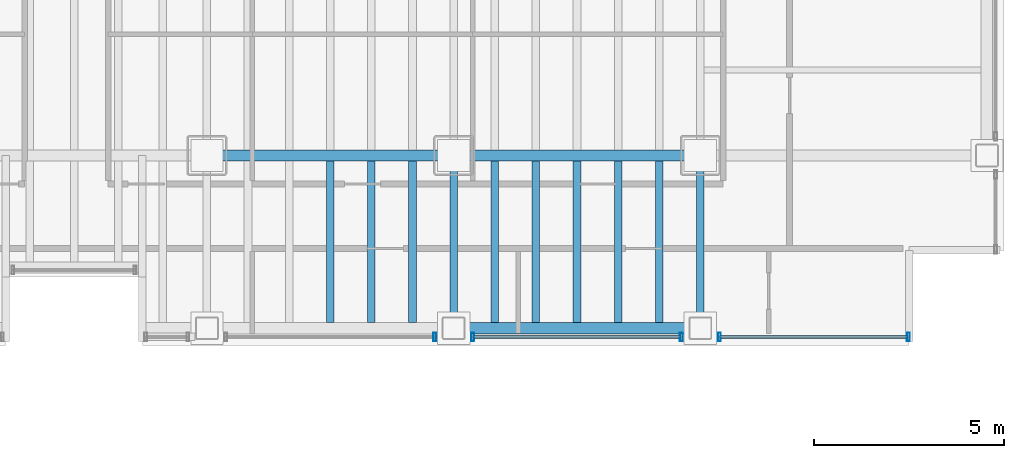
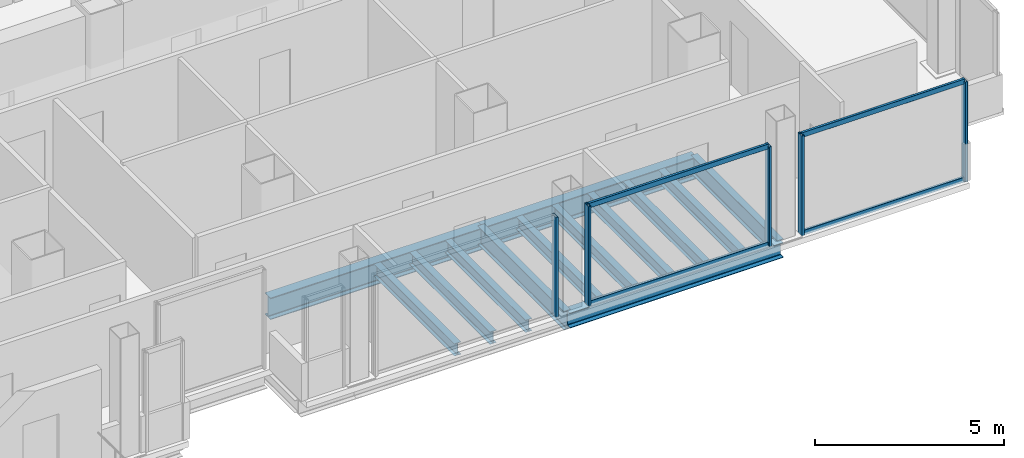
# One storey, part 9 of 21: 13 beams, 9 members, 3 elements without a shape of their own.
"""IFC4 building model written with IfcOpenShell, lengths in metres."""

from ifc_helpers import new_model, si_unit, direction, frame, origin, origin_2d, place, context, subcontext, project, spatial, hollow_rectangle, i_section, extrude, material, material_profile, profile_set, type_object, element, aggregate, save


model = new_model("IFC4")

# Units and contexts
model_context = context("Model", 3, precision=1e-05, world=origin(), true_north=direction((0.0, 1.0)))
body_context = subcontext(model_context, "Body", "Model", "MODEL_VIEW")
ifc_project = project(units=[si_unit("LENGTHUNIT", "METRE"), si_unit("AREAUNIT", "SQUARE_METRE"), si_unit("VOLUMEUNIT", "CUBIC_METRE"), si_unit("PLANEANGLEUNIT", "RADIAN"), si_unit("MASSUNIT", "GRAM", prefix="KILO")], contexts=[model_context])

# Site, building, storey
site_placement = place(None, origin())
site = spatial("IfcSite", under=ifc_project, at=site_placement, CompositionType="ELEMENT")
building_placement = place(site_placement, origin())
building = spatial("IfcBuilding", under=site, at=building_placement, Name="Noeulbin Bourse Tower", CompositionType="ELEMENT")
storey_placement = place(building_placement, frame((0.0, 0.0, 46.0)))
storey = spatial("IfcBuildingStorey", under=building, at=storey_placement, Name="L11", CompositionType="ELEMENT", Elevation=46.0)

# Beams
ifc_material_1 = material(Name="Steel S355", Category="steel")
ifc_material_profile_1 = material_profile(ifc_material_1, i_section(OverallWidth=0.199951171875, OverallDepth=0.60009765625, WebThickness=0.010986328125, FlangeThickness=0.01708984375, FilletRadius=0.02197265625, at=origin_2d()), Name="H-600x200x11x17", Category="LoadBearing")
ifc_profile_set_1 = profile_set([ifc_material_profile_1], Name="Steel S355")
beam_type_1 = type_object("IfcBeamType", Name="BM-GRD-600", PredefinedType="USERDEFINED", material=ifc_profile_set_1)
for number, where, z_axis, x_axis, name in (
    (1, (37.5, 15.449951171875, -0.47998046875), (0.0, 1.0, 0.0), (-1.0, 0.0, 0.0), "Tower Primary Girder NS L11-4.1"),
    (2, (44.0, 15.449951171875, -0.47998046875), (0.0, 1.0, 0.0), (-1.0, 0.0, 0.0), "Tower Primary Girder NS L11-5.1"),
):
    element("IfcBeam", number, at=place(storey_placement, frame(where, z_axis=z_axis, x_axis=x_axis)), inside=storey, type_object=beam_type_1, Name=name, ObjectType="GIRDER", PredefinedType="USERDEFINED", context=body_context, shape_type="SweptSolid", body=[
        extrude(i_section(OverallWidth=0.199951171875, OverallDepth=0.60009765625, WebThickness=0.010986328125, FlangeThickness=0.01708984375, FilletRadius=0.02197265625, at=origin_2d()), origin(), (0.0, 0.0, 1.0), 4.550048828125),
    ])
ifc_material_profile_2 = material_profile(ifc_material_1, i_section(OverallWidth=0.300048828125, OverallDepth=0.699951171875, WebThickness=0.012939453125, FlangeThickness=0.02392578125, FilletRadius=0.02392578125, at=origin_2d()), Name="H-700x300x13x24", Category="LoadBearing")
ifc_profile_set_2 = profile_set([ifc_material_profile_2], Name="Steel S355")
beam_type_2 = type_object("IfcBeamType", Name="BM-GRD-700", PredefinedType="USERDEFINED", material=ifc_profile_set_2)
for number, where, z_axis, x_axis, name in (
    (3, (31.0, 20.0, -0.530029296875), (1.0, 0.0, 0.0), (0.0, 1.0, 0.0), "Tower Primary Girder EW L11-1.4"),
    (4, (37.5, 20.0, -0.530029296875), (1.0, 0.0, 0.0), (0.0, 1.0, 0.0), "Tower Primary Girder EW L11-1.5"),
):
    element("IfcBeam", number, at=place(storey_placement, frame(where, z_axis=z_axis, x_axis=x_axis)), inside=storey, type_object=beam_type_2, Name=name, ObjectType="GIRDER", PredefinedType="USERDEFINED", context=body_context, shape_type="SweptSolid", body=[
        extrude(i_section(OverallWidth=0.300048828125, OverallDepth=0.699951171875, WebThickness=0.012939453125, FlangeThickness=0.02392578125, FilletRadius=0.02392578125, at=origin_2d()), origin(), (0.0, 0.0, 1.0), 6.5),
    ])
ifc_material_profile_3 = material_profile(ifc_material_1, i_section(OverallWidth=0.199951171875, OverallDepth=0.39990234375, WebThickness=0.008056640625, FlangeThickness=0.012939453125, FilletRadius=0.01611328125, at=origin_2d()), Name="H-400x200x8x13", Category="LoadBearing")
ifc_profile_set_3 = profile_set([ifc_material_profile_3], Name="Steel S355")
beam_type_3 = type_object("IfcBeamType", Name="BM-SEC-400", PredefinedType="BEAM", material=ifc_profile_set_3)
for number, where, z_axis, x_axis, name in (
    (5, (34.25, 15.60009765625, -0.3798828125), (0.0, 1.0, 0.0), (-1.0, 0.0, 0.0), "Tower Composite Joist L11-46"),
    (6, (35.333251953125, 15.60009765625, -0.3798828125), (0.0, 1.0, 0.0), (-1.0, 0.0, 0.0), "Tower Composite Joist L11-49"),
    (7, (36.416748046875, 15.60009765625, -0.3798828125), (0.0, 1.0, 0.0), (-1.0, 0.0, 0.0), "Tower Composite Joist L11-52"),
    (8, (38.583251953125, 15.60009765625, -0.3798828125), (0.0, 1.0, 0.0), (-1.0, 0.0, 0.0), "Tower Composite Joist L11-55"),
    (9, (39.666748046875, 15.60009765625, -0.3798828125), (0.0, 1.0, 0.0), (-1.0, 0.0, 0.0), "Tower Composite Joist L11-58"),
    (10, (40.75, 15.60009765625, -0.3798828125), (0.0, 1.0, 0.0), (-1.0, 0.0, 0.0), "Tower Composite Joist L11-61"),
    (11, (41.833251953125, 15.60009765625, -0.3798828125), (0.0, 1.0, 0.0), (-1.0, 0.0, 0.0), "Tower Composite Joist L11-64"),
    (12, (42.916748046875, 15.60009765625, -0.3798828125), (0.0, 1.0, 0.0), (-1.0, 0.0, 0.0), "Tower Composite Joist L11-67"),
):
    element("IfcBeam", number, at=place(storey_placement, frame(where, z_axis=z_axis, x_axis=x_axis)), inside=storey, type_object=beam_type_3, Name=name, PredefinedType="BEAM", context=body_context, shape_type="SweptSolid", body=[
        extrude(i_section(OverallWidth=0.199951171875, OverallDepth=0.39990234375, WebThickness=0.008056640625, FlangeThickness=0.012939453125, FilletRadius=0.01611328125, at=origin_2d()), origin(), (0.0, 0.0, 1.0), 4.25),
    ])
ifc_material_profile_4 = material_profile(ifc_material_1, i_section(OverallWidth=0.300048828125, OverallDepth=0.488037109375, WebThickness=0.010986328125, FlangeThickness=0.01806640625, FilletRadius=0.02197265625, at=origin_2d()), Name="H-488x300x11x18", Category="LoadBearing")
ifc_profile_set_4 = profile_set([ifc_material_profile_4], Name="Steel S355")
beam_type_4 = type_object("IfcBeamType", Name="BM-SPN-488", PredefinedType="SPANDREL", material=ifc_profile_set_4)
beam_placement = place(storey_placement, frame((37.5, 15.449951171875, -0.424072265625), z_axis=(1.0, 0.0, 0.0), x_axis=(0.0, 1.0, 0.0)))
element("IfcBeam", 13, at=beam_placement, inside=storey, type_object=beam_type_4, Name="South Spandrel L11-4", PredefinedType="SPANDREL", context=body_context, shape_type="SweptSolid", body=[
    extrude(i_section(OverallWidth=0.300048828125, OverallDepth=0.488037109375, WebThickness=0.010986328125, FlangeThickness=0.01806640625, FilletRadius=0.02197265625, at=origin_2d()), origin(), (0.0, 0.0, 1.0), 6.5),
])

# Curtain wall, member
ifc_material_2 = material(Name="Dark Solar-Control Double Glazing", Category="glass")
curtain_wall_type = type_object("IfcCurtainWallType", Name="CW-SYS-2", PredefinedType="NOTDEFINED", material=ifc_material_2)
curtain_wall_1_placement = place(storey_placement, origin())
curtain_wall_1 = element("IfcCurtainWall", 14, at=curtain_wall_1_placement, inside=storey, type_object=curtain_wall_type, Name="Unitised Curtain Wall CW-L11-S3-S2", PredefinedType="NOTDEFINED")
ifc_material_3 = material(Name="Anodised Aluminium 6063-T6", Category="aluminium")
ifc_material_profile_5 = material_profile(ifc_material_3, hollow_rectangle(XDim=0.074951171875, YDim=0.219970703125, WallThickness=0.0048828125, InnerFilletRadius=0.00244140625, OuterFilletRadius=0.0048828125, at=origin_2d()), Name="ALU-MULL-75x220x5", Category="LoadBearing")
ifc_profile_set_5 = profile_set([ifc_material_profile_5], Name="Anodised Aluminium 6063-T6")
member_type_1 = type_object("IfcMemberType", Name="CW-SYS-2-MUL", PredefinedType="MULLION", material=ifc_profile_set_5)
member_1_placement = place(storey_placement, frame((37.0, 15.219970703125, -0.02001953125), z_axis=(0.0, 0.0, 1.0), x_axis=(1.0, 0.0, 0.0)))
member_1 = element("IfcMember", 15, at=member_1_placement, type_object=member_type_1, Name="Curtain Wall Mullion CW-L11-S3-S2-M01", PredefinedType="MULLION", context=body_context, shape_type="SweptSolid", body=[
    extrude(hollow_rectangle(XDim=0.074951171875, YDim=0.219970703125, WallThickness=0.0048828125, InnerFilletRadius=0.00244140625, OuterFilletRadius=0.0048828125, at=origin_2d()), origin(), (0.0, 0.0, 1.0), 3.219970703125),
])
aggregate(curtain_wall_1, [member_1])

# Curtain wall, members
curtain_wall_2_placement = place(storey_placement, origin())
curtain_wall_2 = element("IfcCurtainWall", 16, at=curtain_wall_2_placement, inside=storey, type_object=curtain_wall_type, Name="Unitised Curtain Wall CW-L11-S3-S3", PredefinedType="NOTDEFINED")
member_2_placement = place(storey_placement, frame((38.0, 15.219970703125, -0.02001953125), z_axis=(0.0, 0.0, 1.0), x_axis=(1.0, 0.0, 0.0)))
member_2 = element("IfcMember", 17, at=member_2_placement, type_object=member_type_1, Name="Curtain Wall Mullion CW-L11-S3-S3-M00", PredefinedType="MULLION", context=body_context, shape_type="SweptSolid", body=[
    extrude(hollow_rectangle(XDim=0.074951171875, YDim=0.219970703125, WallThickness=0.0048828125, InnerFilletRadius=0.00244140625, OuterFilletRadius=0.0048828125, at=origin_2d()), origin(), (0.0, 0.0, 1.0), 3.219970703125),
])
member_3_placement = place(storey_placement, frame((43.5, 15.219970703125, -0.02001953125), z_axis=(0.0, 0.0, 1.0), x_axis=(1.0, 0.0, 0.0)))
member_3 = element("IfcMember", 18, at=member_3_placement, type_object=member_type_1, Name="Curtain Wall Mullion CW-L11-S3-S3-M01", PredefinedType="MULLION", context=body_context, shape_type="SweptSolid", body=[
    extrude(hollow_rectangle(XDim=0.074951171875, YDim=0.219970703125, WallThickness=0.0048828125, InnerFilletRadius=0.00244140625, OuterFilletRadius=0.0048828125, at=origin_2d()), origin(), (0.0, 0.0, 1.0), 3.219970703125),
])

curtain_wall_3_placement = place(storey_placement, origin())
curtain_wall_3 = element("IfcCurtainWall", 19, at=curtain_wall_3_placement, inside=storey, type_object=curtain_wall_type, Name="Unitised Curtain Wall CW-L11-S3-S4", PredefinedType="NOTDEFINED")
member_4_placement = place(storey_placement, frame((44.5, 15.219970703125, -0.02001953125), z_axis=(0.0, 0.0, 1.0), x_axis=(1.0, 0.0, 0.0)))
member_4 = element("IfcMember", 20, at=member_4_placement, type_object=member_type_1, Name="Curtain Wall Mullion CW-L11-S3-S4-M00", PredefinedType="MULLION", context=body_context, shape_type="SweptSolid", body=[
    extrude(hollow_rectangle(XDim=0.074951171875, YDim=0.219970703125, WallThickness=0.0048828125, InnerFilletRadius=0.00244140625, OuterFilletRadius=0.0048828125, at=origin_2d()), origin(), (0.0, 0.0, 1.0), 3.219970703125),
])
member_5_placement = place(storey_placement, frame((49.47998046875, 15.219970703125, -0.02001953125), z_axis=(0.0, 0.0, 1.0), x_axis=(1.0, 0.0, 0.0)))
member_5 = element("IfcMember", 21, at=member_5_placement, type_object=member_type_1, Name="Curtain Wall Mullion CW-L11-S3-S4-M01", PredefinedType="MULLION", context=body_context, shape_type="SweptSolid", body=[
    extrude(hollow_rectangle(XDim=0.074951171875, YDim=0.219970703125, WallThickness=0.0048828125, InnerFilletRadius=0.00244140625, OuterFilletRadius=0.0048828125, at=origin_2d()), origin(), (0.0, 0.0, 1.0), 3.219970703125),
])

# Member
ifc_material_profile_6 = material_profile(ifc_material_3, hollow_rectangle(XDim=0.074951171875, YDim=0.159912109375, WallThickness=0.0048828125, InnerFilletRadius=0.00244140625, OuterFilletRadius=0.0048828125, at=origin_2d()), Name="ALU-TRAN-75x160x5", Category="LoadBearing")
ifc_profile_set_6 = profile_set([ifc_material_profile_6], Name="Anodised Aluminium 6063-T6")
member_type_2 = type_object("IfcMemberType", Name="CW-SYS-2-TRN", PredefinedType="USERDEFINED", material=ifc_profile_set_6)
member_6_placement = place(storey_placement, frame((38.010009765625, 15.219970703125, 0.010009765625), z_axis=(1.0, 0.0, 0.0), x_axis=(0.0, 1.0, 0.0)))
member_6 = element("IfcMember", 22, at=member_6_placement, type_object=member_type_2, Name="Curtain Wall Transom CW-L11-S3-S3-T00", ObjectType="TRANSOM", PredefinedType="USERDEFINED", context=body_context, shape_type="SweptSolid", body=[
    extrude(hollow_rectangle(XDim=0.074951171875, YDim=0.159912109375, WallThickness=0.0048828125, InnerFilletRadius=0.00244140625, OuterFilletRadius=0.0048828125, at=origin_2d()), origin(), (0.0, 0.0, 1.0), 5.47998046875),
])

member_7_placement = place(storey_placement, frame((38.010009765625, 15.219970703125, 3.169921875), z_axis=(1.0, 0.0, 0.0), x_axis=(0.0, 1.0, 0.0)))
member_7 = element("IfcMember", 23, at=member_7_placement, type_object=member_type_2, Name="Curtain Wall Transom CW-L11-S3-S3-T01", ObjectType="TRANSOM", PredefinedType="USERDEFINED", context=body_context, shape_type="SweptSolid", body=[
    extrude(hollow_rectangle(XDim=0.074951171875, YDim=0.159912109375, WallThickness=0.0048828125, InnerFilletRadius=0.00244140625, OuterFilletRadius=0.0048828125, at=origin_2d()), origin(), (0.0, 0.0, 1.0), 5.47998046875),
])

aggregate(curtain_wall_2, [member_2, member_3, member_6, member_7])

member_8_placement = place(storey_placement, frame((44.510009765625, 15.219970703125, 0.010009765625), z_axis=(1.0, 0.0, 0.0), x_axis=(0.0, 1.0, 0.0)))
member_8 = element("IfcMember", 24, at=member_8_placement, type_object=member_type_2, Name="Curtain Wall Transom CW-L11-S3-S4-T00", ObjectType="TRANSOM", PredefinedType="USERDEFINED", context=body_context, shape_type="SweptSolid", body=[
    extrude(hollow_rectangle(XDim=0.074951171875, YDim=0.159912109375, WallThickness=0.0048828125, InnerFilletRadius=0.00244140625, OuterFilletRadius=0.0048828125, at=origin_2d()), origin(), (0.0, 0.0, 1.0), 4.9599609375),
])

member_9_placement = place(storey_placement, frame((44.510009765625, 15.219970703125, 3.169921875), z_axis=(1.0, 0.0, 0.0), x_axis=(0.0, 1.0, 0.0)))
member_9 = element("IfcMember", 25, at=member_9_placement, type_object=member_type_2, Name="Curtain Wall Transom CW-L11-S3-S4-T01", ObjectType="TRANSOM", PredefinedType="USERDEFINED", context=body_context, shape_type="SweptSolid", body=[
    extrude(hollow_rectangle(XDim=0.074951171875, YDim=0.159912109375, WallThickness=0.0048828125, InnerFilletRadius=0.00244140625, OuterFilletRadius=0.0048828125, at=origin_2d()), origin(), (0.0, 0.0, 1.0), 4.9599609375),
])

aggregate(curtain_wall_3, [member_4, member_5, member_8, member_9])

save(model, "model.ifc")
